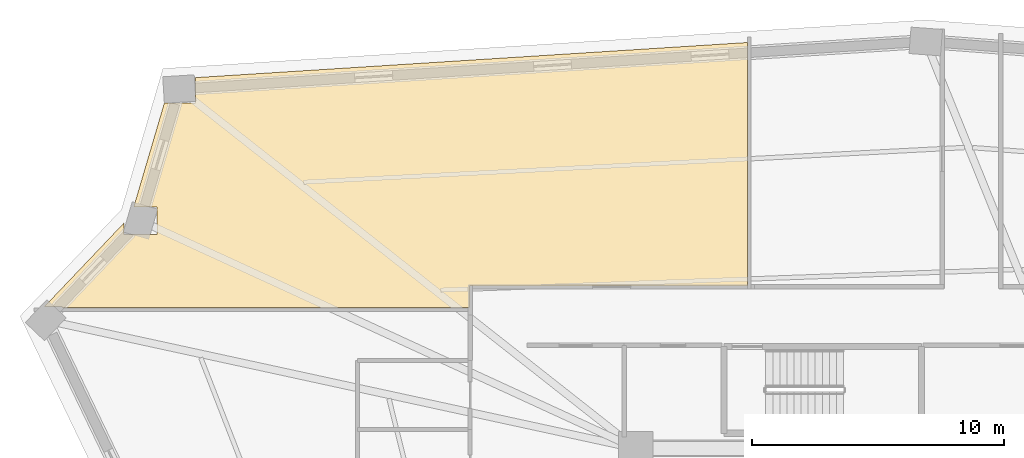
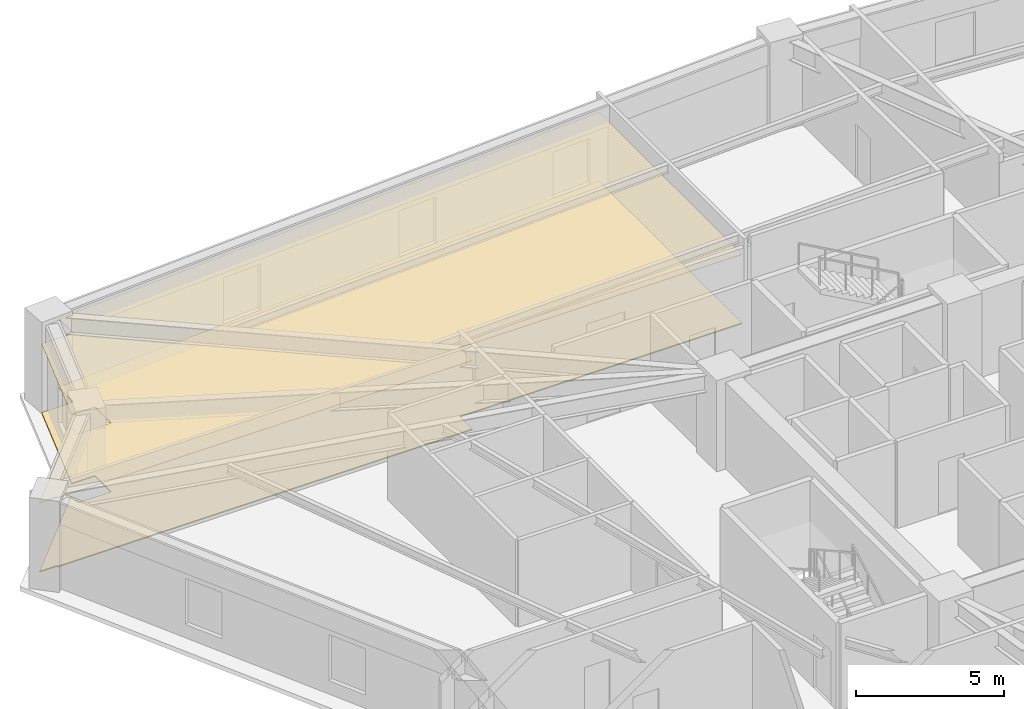
# One storey, part 9 of 9: 2 coverings.
"""IFC4 building model written with IfcOpenShell, lengths in metres."""

import ifcopenshell
import ifcopenshell.guid

model = None  # the IFC model being written
_history = None  # IfcOwnerHistory: only IFC2X3 demands one
_inside = {}  # id of a spatial element -> (the spatial element, [elements in it])
_under = {}  # id of a project, library or spatial element -> (it, [spatial elements below it])
_declared = {}  # id of a project -> (the project, [libraries it declares])
_typed = {}  # id of a type object -> (the type object, [elements of that type])
_made_of = {}  # id of a material, layer set ... -> (it, [elements and type objects made of it])


def new_model(schema):
    """Start an empty IFC model of exactly this schema.

    Asked for "IFC4X3", IfcOpenShell would pick the latest addendum, in which some entities
    have other attributes; the version numbers below select the first issue.
    IFC2X3 requires an IfcOwnerHistory on every rooted entity: one is made here for all.
    """
    global model, _history
    if schema == "IFC4X3":
        model = ifcopenshell.file(schema_version=(4, 3, 0, 0))
    else:
        model = ifcopenshell.file(schema=schema)
    _inside.clear()
    _under.clear()
    _declared.clear()
    _typed.clear()
    _made_of.clear()
    _history = None
    if model.schema == "IFC2X3":
        org = make("IfcOrganization", Name="unknown")
        user = make(
            "IfcPersonAndOrganization",
            ThePerson=make("IfcPerson", FamilyName="unknown"),
            TheOrganization=org,
        )
        app = make(
            "IfcApplication",
            ApplicationDeveloper=org,
            Version="unknown",
            ApplicationFullName="unknown",
            ApplicationIdentifier="unknown",
        )
        _history = make(
            "IfcOwnerHistory",
            OwningUser=user,
            OwningApplication=app,
            ChangeAction="ADDED",
            CreationDate=0,
        )
    return model


def make(cls, **values):
    """One entity of the class cls with the attributes given. An attribute that is None is left unset."""
    return model.create_entity(
        cls, **{name: value for name, value in values.items() if value is not None}
    )


def rooted(cls, **values):
    """An entity with a GlobalId (a new one), such as an element, a storey or a relation."""
    return make(cls, GlobalId=ifcopenshell.guid.new(), OwnerHistory=_history, **values)


def si_unit(unit_type, name, prefix=None):
    """IfcSIUnit, for example si_unit("LENGTHUNIT", "METRE", prefix="MILLI")."""
    return make("IfcSIUnit", UnitType=unit_type, Prefix=prefix, Name=name)


def assignment(units):
    """IfcUnitAssignment: the units of a project."""
    return None if units is None else make("IfcUnitAssignment", Units=units)


def point(xyz):
    """IfcCartesianPoint."""
    return None if xyz is None else make("IfcCartesianPoint", Coordinates=xyz)


def direction(xyz):
    """IfcDirection."""
    return None if xyz is None else make("IfcDirection", DirectionRatios=xyz)


def frame(location, z_axis=None, x_axis=None):
    """IfcAxis2Placement3D, a coordinate frame: its origin and axes. An axis left out is left unset."""
    return make(
        "IfcAxis2Placement3D",
        Location=point(location),
        Axis=direction(z_axis),
        RefDirection=direction(x_axis),
    )


def origin():
    """The frame at (0, 0, 0) with its axes left unset."""
    return frame((0.0, 0.0, 0.0))


def place(relative_to, where):
    """IfcLocalPlacement: puts the frame where relative to a parent placement (None: the world)."""
    return make(
        "IfcLocalPlacement", PlacementRelTo=relative_to, RelativePlacement=where
    )


def context(
    kind, dimensions, precision=None, world=None, true_north=None, identifier=None
):
    """IfcGeometricRepresentationContext, for example the 3D "Model" context."""
    return make(
        "IfcGeometricRepresentationContext",
        ContextIdentifier=identifier,
        ContextType=kind,
        CoordinateSpaceDimension=dimensions,
        Precision=precision,
        WorldCoordinateSystem=world,
        TrueNorth=true_north,
    )


def subcontext(parent, identifier, kind, view, scale=None):
    """IfcGeometricRepresentationSubContext, for example "Body" below "Model"."""
    return make(
        "IfcGeometricRepresentationSubContext",
        ContextIdentifier=identifier,
        ContextType=kind,
        ParentContext=parent,
        TargetScale=scale,
        TargetView=view,
    )


def project(units=None, contexts=None):
    """IfcProject with its units and contexts."""
    return rooted(
        "IfcProject",
        Name="project",
        RepresentationContexts=contexts,
        UnitsInContext=assignment(units),
    )


def spatial(cls, under=None, at=None, **own):
    """A site, building, storey or space (cls), placed at a placement, below another one or the project."""
    s = rooted(cls, ObjectPlacement=at, **own)
    if under is not None:
        _under.setdefault(under.id(), (under, []))[1].append(s)
    return s


def polyline(points):
    """IfcPolyline through the points."""
    return make("IfcPolyline", Points=[point(p) for p in points])


def outline(outer, holes=None, kind="AREA"):
    """IfcArbitraryClosedProfileDef: a profile drawn as a closed curve; with holes, ...WithVoids."""
    if holes is None:
        return make("IfcArbitraryClosedProfileDef", ProfileType=kind, OuterCurve=outer)
    return make(
        "IfcArbitraryProfileDefWithVoids",
        ProfileType=kind,
        OuterCurve=outer,
        InnerCurves=holes,
    )


def extrude(swept, where, along, depth):
    """IfcExtrudedAreaSolid: the profile swept, set in the frame where, extruded along a direction by depth."""
    return make(
        "IfcExtrudedAreaSolid",
        SweptArea=swept,
        Position=where,
        ExtrudedDirection=direction(along),
        Depth=depth,
    )


def shape(context_of_items, identifier, shape_type, items):
    """IfcShapeRepresentation: the items that make up one representation, for example the "Body"."""
    return make(
        "IfcShapeRepresentation",
        ContextOfItems=context_of_items,
        RepresentationIdentifier=identifier,
        RepresentationType=shape_type,
        Items=items,
    )


def material(Name=None, Category=None):
    """IfcMaterial."""
    return make("IfcMaterial", Name=Name, Category=Category)


def layer(
    of_material, thickness, ventilated=None, Name=None, Category=None, Priority=None
):
    """IfcMaterialLayer: one layer of a wall or slab, of a material (None: an air gap)."""
    return make(
        "IfcMaterialLayer",
        Material=of_material,
        LayerThickness=thickness,
        IsVentilated=ventilated,
        Name=Name,
        Category=Category,
        Priority=Priority,
    )


def layer_set(layers, Name=None):
    """IfcMaterialLayerSet."""
    return make("IfcMaterialLayerSet", MaterialLayers=layers, LayerSetName=Name)


def made_of(thing, what):
    """Note that an element or type object is made of a material, layer set ...; save() writes the relation."""
    if what is not None:
        _made_of.setdefault(what.id(), (what, []))[1].append(thing)
    return thing


def type_object(cls, material=None, **own):
    """A type object (cls), such as IfcWallType, which elements share."""
    return made_of(rooted(cls, **own), material)


def element(
    cls,
    number,
    at=None,
    inside=None,
    cuts=None,
    type_object=None,
    material=None,
    context=None,
    identifier="Body",
    shape_type=None,
    held_by="IfcProductDefinitionShape",
    body=None,
    shapes=None,
    **own,
):
    """One element of the class cls, such as IfcWall. Its Tag is "e" and its number.

    at: its placement. inside: the storey or other place that contains it. cuts: it is an
    opening in that element (IfcRelVoidsElement). A single representation is given by context,
    identifier, shape_type and body (its items); several are given by shapes. held_by: the class
    of the entity that holds the representations. save() writes the other relations.
    """
    e = rooted(cls, Tag="e%d" % number, ObjectPlacement=at, **own)
    if body is not None:
        shapes = [shape(context, identifier, shape_type, body)]
    if shapes is not None:
        e.Representation = make(held_by, Representations=shapes)
    if inside is not None:
        _inside.setdefault(inside.id(), (inside, []))[1].append(e)
    if cuts is not None:
        rooted(
            "IfcRelVoidsElement", RelatingBuildingElement=cuts, RelatedOpeningElement=e
        )
    if type_object is not None:
        _typed.setdefault(type_object.id(), (type_object, []))[1].append(e)
    return made_of(e, material)


def aggregate(whole, parts):
    """IfcRelAggregates: a whole, such as a stair, and the parts it consists of."""
    return rooted("IfcRelAggregates", RelatingObject=whole, RelatedObjects=parts)


def save(model, path):
    """Write the relations noted so far, then the file.

    IfcRelAggregates (storeys below a building ...), IfcRelContainedInSpatialStructure (elements
    in a storey), IfcRelDefinesByType, IfcRelAssociatesMaterial and IfcRelDeclares: one each for
    every whole, place, type object, material and project.
    """
    for whole, parts in _under.values():
        aggregate(whole, parts)
    for where, things in _inside.values():
        rooted(
            "IfcRelContainedInSpatialStructure",
            RelatedElements=things,
            RelatingStructure=where,
        )
    for kind, things in _typed.values():
        rooted("IfcRelDefinesByType", RelatedObjects=things, RelatingType=kind)
    for what, things in _made_of.values():
        rooted("IfcRelAssociatesMaterial", RelatedObjects=things, RelatingMaterial=what)
    for by, libraries in _declared.values():
        rooted("IfcRelDeclares", RelatingContext=by, RelatedDefinitions=libraries)
    model.write(path)


model = new_model("IFC4")

# Units and contexts
model_context = context("Model", 3, precision=1e-05, world=origin(), true_north=direction((0.0, 1.0)))
body_context = subcontext(model_context, "Body", "Model", "MODEL_VIEW")
ifc_project = project(units=[si_unit("LENGTHUNIT", "METRE"), si_unit("AREAUNIT", "SQUARE_METRE"), si_unit("VOLUMEUNIT", "CUBIC_METRE"), si_unit("PLANEANGLEUNIT", "RADIAN"), si_unit("MASSUNIT", "GRAM", prefix="KILO")], contexts=[model_context])

# Site, building, storey
site_placement = place(None, origin())
site = spatial("IfcSite", under=ifc_project, at=site_placement, CompositionType="ELEMENT")
building_placement = place(site_placement, origin())
building = spatial("IfcBuilding", under=site, at=building_placement, Name="Liaohun Quay Tower", CompositionType="ELEMENT")
storey_placement = place(building_placement, frame((0.0, 0.0, 236.25)))
storey = spatial("IfcBuildingStorey", under=building, at=storey_placement, Name="L61", CompositionType="ELEMENT", Elevation=236.25)

# Coverings
ifc_material_1 = material(Name="Mineral-fibre acoustic ceiling tile")
ifc_layer_1 = layer(ifc_material_1, 0.02490234375, Name="Mineral-fibre acoustic ceiling tile")
ifc_layer_set_1 = layer_set([ifc_layer_1], Name="Mineral-fibre acoustic ceiling tile")
covering_type_1 = type_object("IfcCoveringType", Name="COV-CEIL-ACT", PredefinedType="CEILING", material=ifc_layer_set_1)
covering_1_placement = place(storey_placement, frame((0.0, 0.0, 2.85009765625)))
element("IfcCovering", 1, at=covering_1_placement, inside=storey, type_object=covering_type_1, Name="L61 Engineering Model Workshop 05 Acoustic Ceiling", PredefinedType="CEILING", context=body_context, shape_type="SweptSolid", body=[
    extrude(outline(polyline([(31.114990234375, 71.069091796875), (32.02587890625, 71.069091796875), (32.02587890625, 69.97900390625), (30.736083984375, 69.97900390625), (30.736083984375, 70.43994140625), (27.580078125, 67.1240234375), (28.27197265625, 67.1240234375), (28.27197265625, 67.074951171875), (44.419921875, 67.074951171875), (44.419921875, 67.929931640625), (55.425048828125, 67.929931640625), (55.425048828125, 77.5810546875), (33.56201171875, 76.18994140625), (33.56201171875, 75.193115234375), (32.3291015625, 75.193115234375), (31.114990234375, 71.069091796875)])), origin(), (0.0, 0.0, 1.0), 0.02490234375),
])
ifc_material_2 = material(Name="Calcium-sulphate raised access floor tile")
ifc_layer_2 = layer(ifc_material_2, 0.044921875, Name="Calcium-sulphate raised access floor tile")
ifc_layer_set_2 = layer_set([ifc_layer_2], Name="Calcium-sulphate raised access floor tile")
covering_type_2 = type_object("IfcCoveringType", Name="COV-FLR-RAF", PredefinedType="FLOORING", material=ifc_layer_set_2)
covering_2_placement = place(storey_placement, origin())
element("IfcCovering", 2, at=covering_2_placement, inside=storey, type_object=covering_type_2, Name="L61 Engineering Model Workshop 05 Floor Finish", PredefinedType="FLOORING", context=body_context, shape_type="SweptSolid", body=[
    extrude(outline(polyline([(31.114990234375, 71.069091796875), (32.02587890625, 71.069091796875), (32.02587890625, 69.97900390625), (30.736083984375, 69.97900390625), (30.736083984375, 70.43994140625), (27.580078125, 67.1240234375), (28.27197265625, 67.1240234375), (28.27197265625, 67.074951171875), (44.419921875, 67.074951171875), (44.419921875, 67.929931640625), (55.425048828125, 67.929931640625), (55.425048828125, 77.5810546875), (33.56201171875, 76.18994140625), (33.56201171875, 75.193115234375), (32.3291015625, 75.193115234375), (31.114990234375, 71.069091796875)])), origin(), (0.0, 0.0, 1.0), 0.044921875),
])

save(model, "model.ifc")
